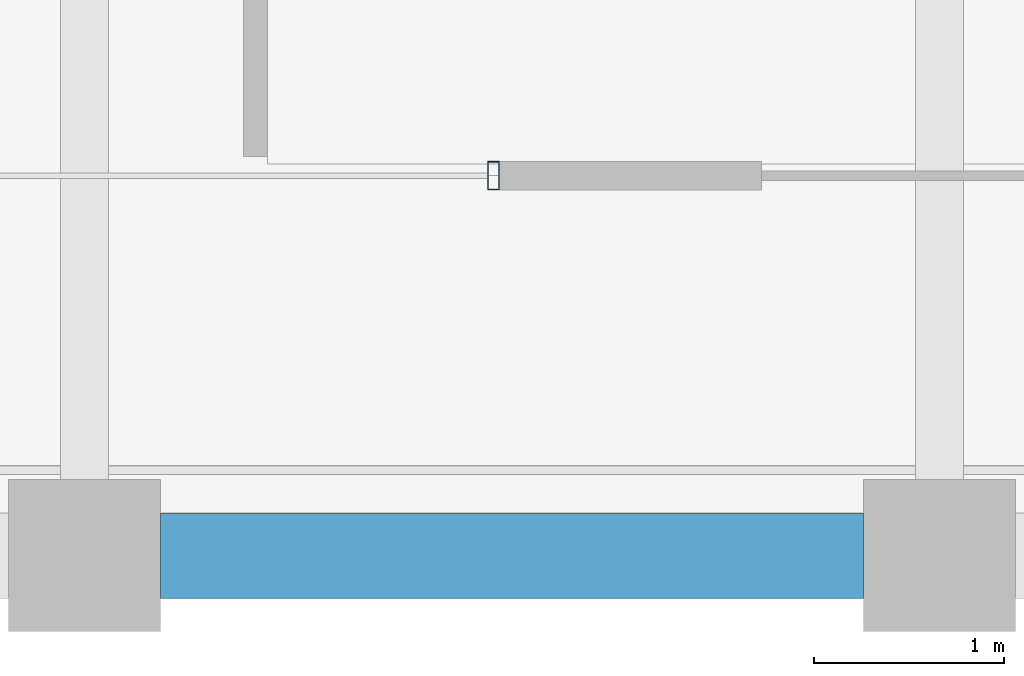
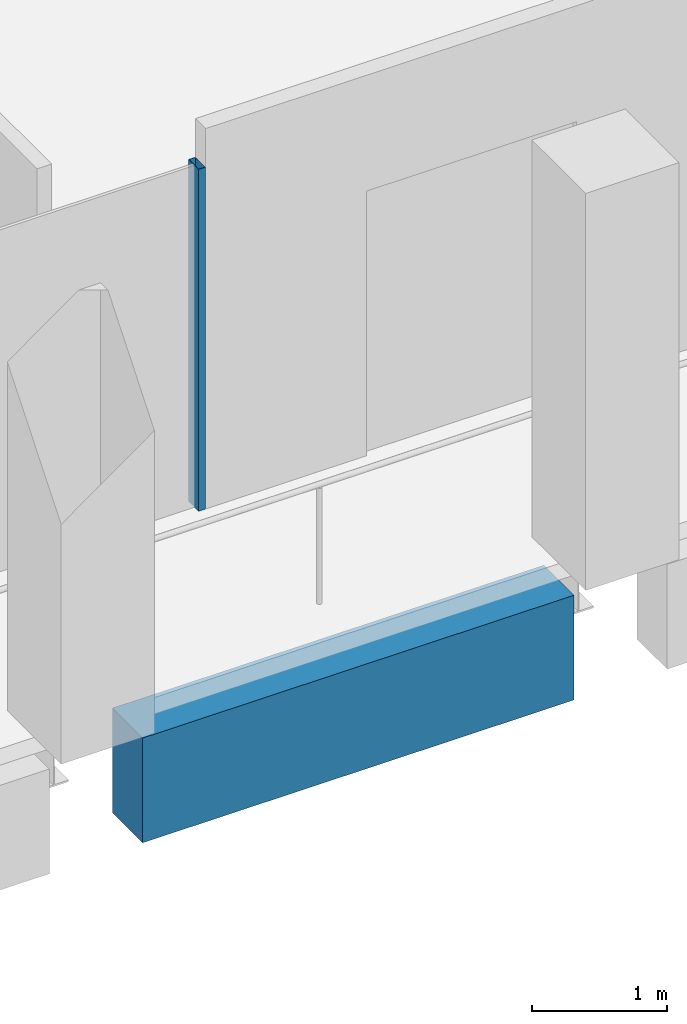
# One storey, part 9 of 62: 1 beam, 1 member, 1 element without a shape of its own.
"""IFC4 building model written with IfcOpenShell, lengths in metres."""

from ifc_helpers import new_model, si_unit, direction, frame, origin, origin_2d, place, context, subcontext, project, spatial, rectangle, hollow_rectangle, extrude, material, material_profile, profile_set, type_object, element, aggregate, save


model = new_model("IFC4")

# Units and contexts
model_context = context("Model", 3, precision=1e-05, world=origin(), true_north=direction((0.0, 1.0)))
body_context = subcontext(model_context, "Body", "Model", "MODEL_VIEW")
ifc_project = project(units=[si_unit("LENGTHUNIT", "METRE"), si_unit("AREAUNIT", "SQUARE_METRE"), si_unit("VOLUMEUNIT", "CUBIC_METRE"), si_unit("PLANEANGLEUNIT", "RADIAN"), si_unit("MASSUNIT", "GRAM", prefix="KILO")], contexts=[model_context])

# Site, building, storey
site_placement = place(None, origin())
site = spatial("IfcSite", under=ifc_project, at=site_placement, CompositionType="ELEMENT")
building_placement = place(site_placement, origin())
building = spatial("IfcBuilding", under=site, at=building_placement, Name="Altepetl Exchange Towers", CompositionType="ELEMENT")
storey_placement = place(building_placement, frame((0.0, 0.0, 210.0)))
storey = spatial("IfcBuildingStorey", under=building, at=storey_placement, Name="L53", CompositionType="ELEMENT", Elevation=210.0)

# Curtain wall, member
ifc_material_1 = material(Name="Aluminium 6063-T6 glazing", Category="aluminium")
curtain_wall_type = type_object("IfcCurtainWallType", Name="Loggia glazing system", PredefinedType="NOTDEFINED", material=ifc_material_1)
curtain_wall_placement = place(storey_placement, origin())
curtain_wall = element("IfcCurtainWall", 1, at=curtain_wall_placement, inside=storey, type_object=curtain_wall_type, Name="CW1 run", PredefinedType="NOTDEFINED")
ifc_material_2 = material(Name="Aluminium 6063-T6", Category="aluminium")
ifc_material_profile_1 = material_profile(ifc_material_2, hollow_rectangle(XDim=0.06005859375, YDim=0.14990234375, WallThickness=0.0029296875, at=origin_2d()), Name="Mullion 60x150 aluminium")
ifc_profile_set_1 = profile_set([ifc_material_profile_1], Name="Aluminium 6063-T6")
member_type = type_object("IfcMemberType", Name="Mullion 60x150 aluminium", PredefinedType="MULLION", material=ifc_profile_set_1)
member_placement = place(storey_placement, frame((47.152099609375, 29.0, 0.0)))
member = element("IfcMember", 2, at=member_placement, type_object=member_type, Name="MU1 mullion", PredefinedType="MULLION", context=body_context, shape_type="SweptSolid", body=[
    extrude(hollow_rectangle(XDim=0.06005859375, YDim=0.14990234375, WallThickness=0.0029296875, at=origin_2d()), origin(), (0.0, 0.0, 1.0), 3.10009765625),
])
aggregate(curtain_wall, [member])

# Beam
ifc_material_3 = material(Name="Concrete C50/60 precast with cantera blanca facing", Category="concrete")
ifc_material_profile_2 = material_profile(ifc_material_3, rectangle(XDim=0.449951171875, YDim=0.949951171875, at=origin_2d()), Name="450 x 950")
ifc_profile_set_2 = profile_set([ifc_material_profile_2], Name="Concrete C50/60 precast with cantera blanca facing")
beam_type = type_object("IfcBeamType", Name="Spandrel beam 450x950 cantera blanca", PredefinedType="SPANDREL", material=ifc_profile_set_2)
beam_placement = place(storey_placement, frame((45.39990234375, 27.0, -0.625), z_axis=(1.0, 0.0, 0.0), x_axis=(0.0, 1.0, 0.0)))
element("IfcBeam", 3, at=beam_placement, inside=storey, type_object=beam_type, Name="sp:A:L53:003", PredefinedType="SPANDREL", context=body_context, shape_type="SweptSolid", body=[
    extrude(rectangle(XDim=0.449951171875, YDim=0.949951171875, at=origin_2d()), origin(), (0.0, 0.0, 1.0), 3.7001953125),
])

save(model, "model.ifc")
